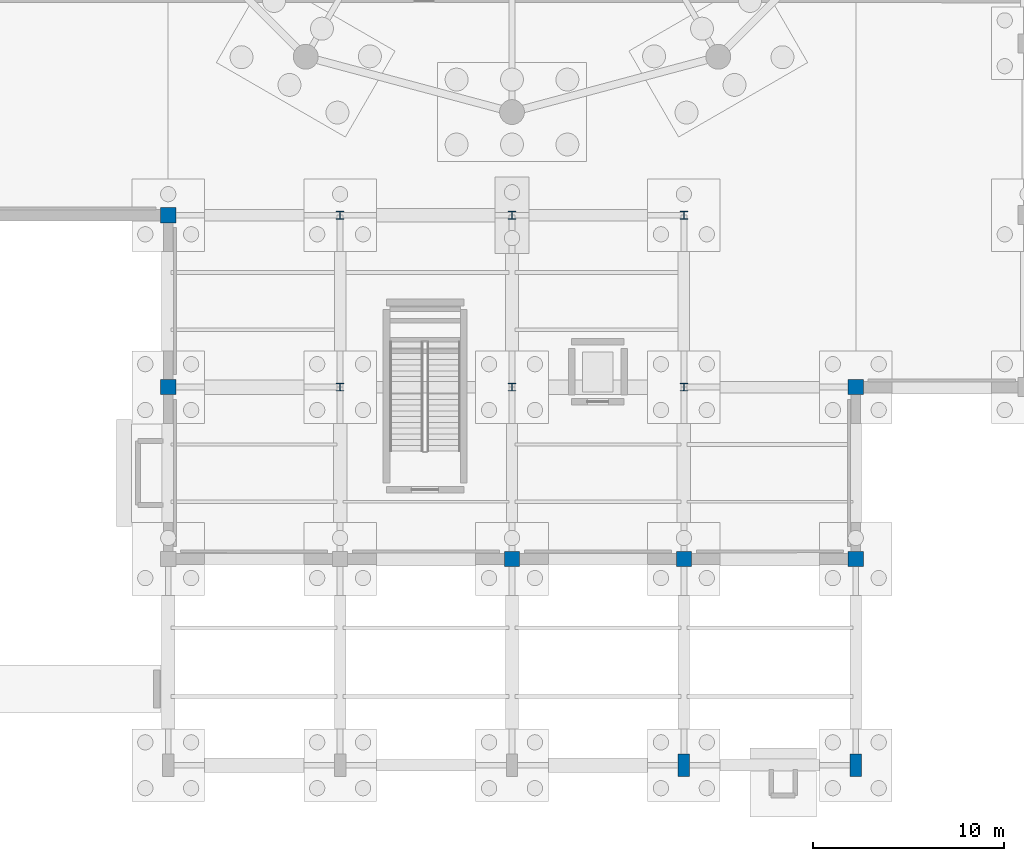
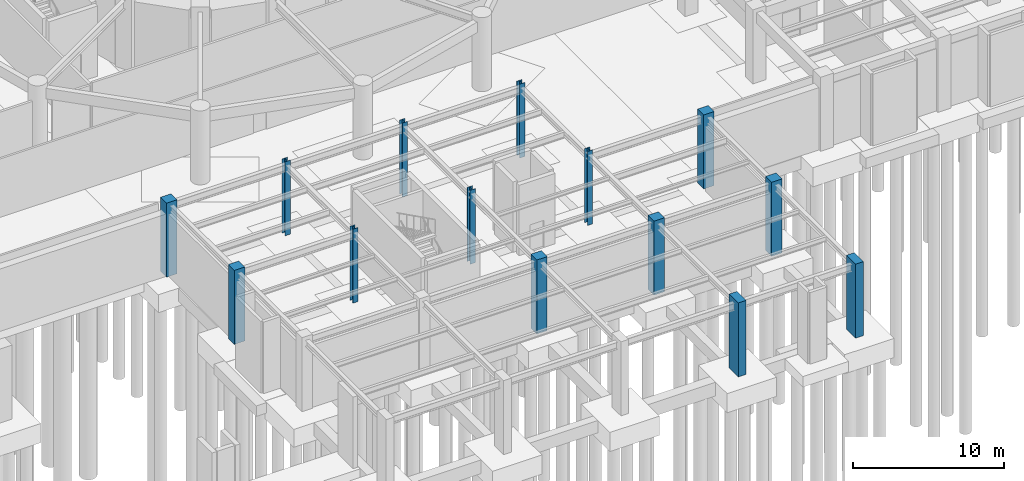
# One storey, part 8 of 36: 14 columns.
"""IFC4 building model written with IfcOpenShell, lengths in metres."""

from ifc_helpers import new_model, si_unit, direction, frame, origin, origin_2d, place, context, subcontext, project, spatial, rectangle, i_section, extrude, material, material_profile, profile_set, type_object, element, save


model = new_model("IFC4")

# Units and contexts
model_context = context("Model", 3, precision=1e-05, world=origin(), true_north=direction((0.0, 1.0)))
body_context = subcontext(model_context, "Body", "Model", "MODEL_VIEW")
ifc_project = project(units=[si_unit("LENGTHUNIT", "METRE"), si_unit("AREAUNIT", "SQUARE_METRE"), si_unit("VOLUMEUNIT", "CUBIC_METRE"), si_unit("PLANEANGLEUNIT", "RADIAN"), si_unit("MASSUNIT", "GRAM", prefix="KILO")], contexts=[model_context])

# Site, building, storey
site_placement = place(None, origin())
site = spatial("IfcSite", under=ifc_project, at=site_placement, CompositionType="ELEMENT")
building_placement = place(site_placement, origin())
building = spatial("IfcBuilding", under=site, at=building_placement, Name="Haizhuo Lancet Aquarium", CompositionType="ELEMENT")
storey_placement = place(building_placement, frame((0.0, 0.0, -6.0)))
storey = spatial("IfcBuildingStorey", under=building, at=storey_placement, Name="B1", CompositionType="ELEMENT", Elevation=-6.0)

# Columns
ifc_material_1 = material(Name="Concrete C40/50", Category="concrete")
ifc_material_profile_1 = material_profile(ifc_material_1, rectangle(XDim=0.800048828125, YDim=0.800048828125, at=origin_2d()), Name="RC-COL 800x800")
ifc_profile_set_1 = profile_set([ifc_material_profile_1], Name="Concrete C40/50")
column_type_1 = type_object("IfcColumnType", Name="COL-RC-800", PredefinedType="COLUMN", material=ifc_profile_set_1)
for number, where, z_axis, x_axis, name in (
    (1, (-18.0, -36.0, 0.0), (0.0, 0.0, 1.0), (1.0, 0.0, 0.0), "B1 column V4-COL-068"),
    (2, (-18.0, -27.0, 0.0), (0.0, 0.0, 1.0), (1.0, 0.0, 0.0), "B1 column V4-COL-069"),
    (3, (0.0, -45.0, 0.0), (0.0, 0.0, 1.0), (1.0, 0.0, 0.0), "B1 column V4-COL-075"),
    (4, (9.0, -45.0, 0.0), (0.0, 0.0, 1.0), (1.0, 0.0, 0.0), "B1 column V4-COL-079"),
    (5, (18.0, -45.0, 0.0), (0.0, 0.0, 1.0), (1.0, 0.0, 0.0), "B1 column V4-COL-083"),
    (6, (18.0, -36.0, 0.0), (0.0, 0.0, 1.0), (1.0, 0.0, 0.0), "B1 column V4-COL-084"),
):
    element("IfcColumn", number, at=place(storey_placement, frame(where, z_axis=z_axis, x_axis=x_axis)), inside=storey, type_object=column_type_1, Name=name, PredefinedType="COLUMN", context=body_context, shape_type="SweptSolid", body=[
        extrude(rectangle(XDim=0.800048828125, YDim=0.800048828125, at=origin_2d()), origin(), (0.0, 0.0, 1.0), 6.0),
    ])
ifc_material_2 = material(Name="Steel S355", Category="steel")
ifc_material_profile_2 = material_profile(ifc_material_2, i_section(OverallWidth=0.39990234375, OverallDepth=0.39990234375, WebThickness=0.012939453125, FlangeThickness=0.02099609375, FilletRadius=0.02197265625, at=origin_2d()), Name="HW 400x400x13x21")
ifc_profile_set_2 = profile_set([ifc_material_profile_2], Name="Steel S355")
column_type_2 = type_object("IfcColumnType", Name="COL-ST-HW400", PredefinedType="COLUMN", material=ifc_profile_set_2)
for number, where, z_axis, x_axis, name in (
    (7, (-9.0, -36.0, 0.0), (0.0, 0.0, 1.0), (1.0, 0.0, 0.0), "B1 column V4-COL-072"),
    (8, (-9.0, -27.0, 0.0), (0.0, 0.0, 1.0), (1.0, 0.0, 0.0), "B1 column V4-COL-073"),
    (9, (0.0, -36.0, 0.0), (0.0, 0.0, 1.0), (1.0, 0.0, 0.0), "B1 column V4-COL-076"),
    (10, (0.0, -27.0, 0.0), (0.0, 0.0, 1.0), (1.0, 0.0, 0.0), "B1 column V4-COL-077"),
    (11, (9.0, -36.0, 0.0), (0.0, 0.0, 1.0), (1.0, 0.0, 0.0), "B1 column V4-COL-080"),
    (12, (9.0, -27.0, 0.0), (0.0, 0.0, 1.0), (1.0, 0.0, 0.0), "B1 column V4-COL-081"),
):
    element("IfcColumn", number, at=place(storey_placement, frame(where, z_axis=z_axis, x_axis=x_axis)), inside=storey, type_object=column_type_2, Name=name, PredefinedType="COLUMN", context=body_context, shape_type="SweptSolid", body=[
        extrude(i_section(OverallWidth=0.39990234375, OverallDepth=0.39990234375, WebThickness=0.012939453125, FlangeThickness=0.02099609375, FilletRadius=0.02197265625, at=origin_2d()), origin(), (0.0, 0.0, 1.0), 6.0),
    ])
ifc_material_3 = material(Name="Concrete C45/55", Category="concrete")
ifc_material_profile_3 = material_profile(ifc_material_3, rectangle(XDim=0.60009765625, YDim=1.199951171875, at=origin_2d()), Name="RC-PIL 600x1200")
ifc_profile_set_3 = profile_set([ifc_material_profile_3], Name="Concrete C45/55")
column_type_3 = type_object("IfcColumnType", Name="PIL-RC-600x1200", PredefinedType="PILASTER", material=ifc_profile_set_3)
for number, where, z_axis, x_axis, name in (
    (13, (9.0, -55.800048828125, 0.0), (0.0, 0.0, 1.0), (1.0, 0.0, 0.0), "B1 column V4-COL-078"),
    (14, (18.0, -55.800048828125, 0.0), (0.0, 0.0, 1.0), (1.0, 0.0, 0.0), "B1 column V4-COL-082"),
):
    element("IfcColumn", number, at=place(storey_placement, frame(where, z_axis=z_axis, x_axis=x_axis)), inside=storey, type_object=column_type_3, Name=name, PredefinedType="PILASTER", context=body_context, shape_type="SweptSolid", body=[
        extrude(rectangle(XDim=0.60009765625, YDim=1.199951171875, at=origin_2d()), origin(), (0.0, 0.0, 1.0), 6.0),
    ])

save(model, "model.ifc")
